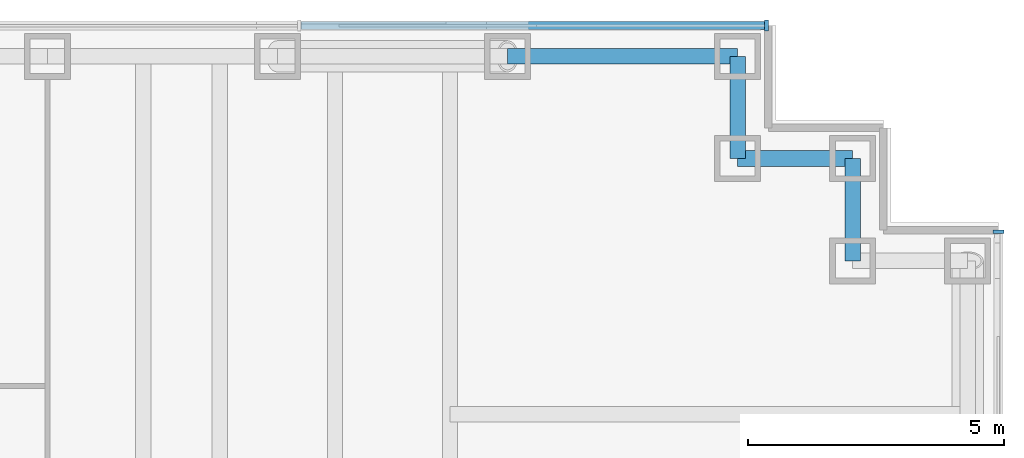
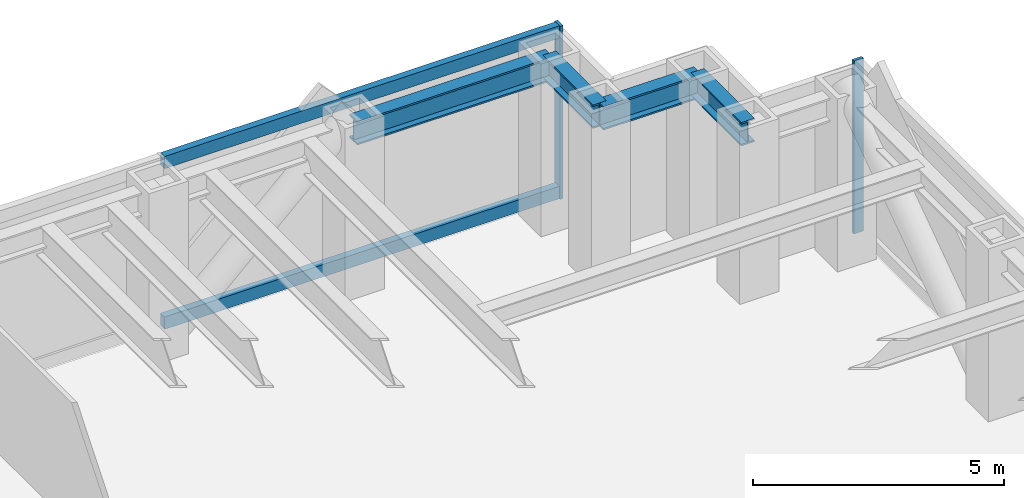
# One storey, part 9 of 15: 4 beams, 4 members, 2 elements without a shape of their own.
"""IFC4 building model written with IfcOpenShell, lengths in metres."""

import ifcopenshell
import ifcopenshell.guid

model = None  # the IFC model being written
_history = None  # IfcOwnerHistory: only IFC2X3 demands one
_inside = {}  # id of a spatial element -> (the spatial element, [elements in it])
_under = {}  # id of a project, library or spatial element -> (it, [spatial elements below it])
_declared = {}  # id of a project -> (the project, [libraries it declares])
_typed = {}  # id of a type object -> (the type object, [elements of that type])
_made_of = {}  # id of a material, layer set ... -> (it, [elements and type objects made of it])


def new_model(schema):
    """Start an empty IFC model of exactly this schema.

    Asked for "IFC4X3", IfcOpenShell would pick the latest addendum, in which some entities
    have other attributes; the version numbers below select the first issue.
    IFC2X3 requires an IfcOwnerHistory on every rooted entity: one is made here for all.
    """
    global model, _history
    if schema == "IFC4X3":
        model = ifcopenshell.file(schema_version=(4, 3, 0, 0))
    else:
        model = ifcopenshell.file(schema=schema)
    _inside.clear()
    _under.clear()
    _declared.clear()
    _typed.clear()
    _made_of.clear()
    _history = None
    if model.schema == "IFC2X3":
        org = make("IfcOrganization", Name="unknown")
        user = make(
            "IfcPersonAndOrganization",
            ThePerson=make("IfcPerson", FamilyName="unknown"),
            TheOrganization=org,
        )
        app = make(
            "IfcApplication",
            ApplicationDeveloper=org,
            Version="unknown",
            ApplicationFullName="unknown",
            ApplicationIdentifier="unknown",
        )
        _history = make(
            "IfcOwnerHistory",
            OwningUser=user,
            OwningApplication=app,
            ChangeAction="ADDED",
            CreationDate=0,
        )
    return model


def make(cls, **values):
    """One entity of the class cls with the attributes given. An attribute that is None is left unset."""
    return model.create_entity(
        cls, **{name: value for name, value in values.items() if value is not None}
    )


def rooted(cls, **values):
    """An entity with a GlobalId (a new one), such as an element, a storey or a relation."""
    return make(cls, GlobalId=ifcopenshell.guid.new(), OwnerHistory=_history, **values)


def si_unit(unit_type, name, prefix=None):
    """IfcSIUnit, for example si_unit("LENGTHUNIT", "METRE", prefix="MILLI")."""
    return make("IfcSIUnit", UnitType=unit_type, Prefix=prefix, Name=name)


def assignment(units):
    """IfcUnitAssignment: the units of a project."""
    return None if units is None else make("IfcUnitAssignment", Units=units)


def point(xyz):
    """IfcCartesianPoint."""
    return None if xyz is None else make("IfcCartesianPoint", Coordinates=xyz)


def direction(xyz):
    """IfcDirection."""
    return None if xyz is None else make("IfcDirection", DirectionRatios=xyz)


def frame(location, z_axis=None, x_axis=None):
    """IfcAxis2Placement3D, a coordinate frame: its origin and axes. An axis left out is left unset."""
    return make(
        "IfcAxis2Placement3D",
        Location=point(location),
        Axis=direction(z_axis),
        RefDirection=direction(x_axis),
    )


def frame_2d(location, x_axis=None):
    """IfcAxis2Placement2D, a coordinate frame in the plane: its origin and x axis."""
    return make(
        "IfcAxis2Placement2D", Location=point(location), RefDirection=direction(x_axis)
    )


def origin():
    """The frame at (0, 0, 0) with its axes left unset."""
    return frame((0.0, 0.0, 0.0))


def origin_2d():
    """The frame at (0, 0) in the plane with its x axis left unset."""
    return frame_2d((0.0, 0.0))


def place(relative_to, where):
    """IfcLocalPlacement: puts the frame where relative to a parent placement (None: the world)."""
    return make(
        "IfcLocalPlacement", PlacementRelTo=relative_to, RelativePlacement=where
    )


def context(
    kind, dimensions, precision=None, world=None, true_north=None, identifier=None
):
    """IfcGeometricRepresentationContext, for example the 3D "Model" context."""
    return make(
        "IfcGeometricRepresentationContext",
        ContextIdentifier=identifier,
        ContextType=kind,
        CoordinateSpaceDimension=dimensions,
        Precision=precision,
        WorldCoordinateSystem=world,
        TrueNorth=true_north,
    )


def subcontext(parent, identifier, kind, view, scale=None):
    """IfcGeometricRepresentationSubContext, for example "Body" below "Model"."""
    return make(
        "IfcGeometricRepresentationSubContext",
        ContextIdentifier=identifier,
        ContextType=kind,
        ParentContext=parent,
        TargetScale=scale,
        TargetView=view,
    )


def project(units=None, contexts=None):
    """IfcProject with its units and contexts."""
    return rooted(
        "IfcProject",
        Name="project",
        RepresentationContexts=contexts,
        UnitsInContext=assignment(units),
    )


def spatial(cls, under=None, at=None, **own):
    """A site, building, storey or space (cls), placed at a placement, below another one or the project."""
    s = rooted(cls, ObjectPlacement=at, **own)
    if under is not None:
        _under.setdefault(under.id(), (under, []))[1].append(s)
    return s


def profile(cls, at=None, kind="AREA", **sizes):
    """A parametric profile (cls). Its sizes go by their IFC names, for example OverallWidth=200.0."""
    return make(cls, ProfileType=kind, Position=at, **sizes)


def rectangle(**sizes):
    """IfcRectangleProfileDef."""
    return profile("IfcRectangleProfileDef", **sizes)


def i_section(**sizes):
    """IfcIShapeProfileDef."""
    return profile("IfcIShapeProfileDef", **sizes)


def extrude(swept, where, along, depth):
    """IfcExtrudedAreaSolid: the profile swept, set in the frame where, extruded along a direction by depth."""
    return make(
        "IfcExtrudedAreaSolid",
        SweptArea=swept,
        Position=where,
        ExtrudedDirection=direction(along),
        Depth=depth,
    )


def shape(context_of_items, identifier, shape_type, items):
    """IfcShapeRepresentation: the items that make up one representation, for example the "Body"."""
    return make(
        "IfcShapeRepresentation",
        ContextOfItems=context_of_items,
        RepresentationIdentifier=identifier,
        RepresentationType=shape_type,
        Items=items,
    )


def material(Name=None, Category=None):
    """IfcMaterial."""
    return make("IfcMaterial", Name=Name, Category=Category)


def material_profile(
    of_material, cross_section, Name=None, Category=None, Priority=None
):
    """IfcMaterialProfile: a cross section and its material."""
    return make(
        "IfcMaterialProfile",
        Name=Name,
        Material=of_material,
        Profile=cross_section,
        Priority=Priority,
        Category=Category,
    )


def profile_set(profiles, Name=None, composite=None):
    """IfcMaterialProfileSet."""
    return make(
        "IfcMaterialProfileSet",
        Name=Name,
        MaterialProfiles=profiles,
        CompositeProfile=composite,
    )


def made_of(thing, what):
    """Note that an element or type object is made of a material, layer set ...; save() writes the relation."""
    if what is not None:
        _made_of.setdefault(what.id(), (what, []))[1].append(thing)
    return thing


def type_object(cls, material=None, **own):
    """A type object (cls), such as IfcWallType, which elements share."""
    return made_of(rooted(cls, **own), material)


def element(
    cls,
    number,
    at=None,
    inside=None,
    cuts=None,
    type_object=None,
    material=None,
    context=None,
    identifier="Body",
    shape_type=None,
    held_by="IfcProductDefinitionShape",
    body=None,
    shapes=None,
    **own,
):
    """One element of the class cls, such as IfcWall. Its Tag is "e" and its number.

    at: its placement. inside: the storey or other place that contains it. cuts: it is an
    opening in that element (IfcRelVoidsElement). A single representation is given by context,
    identifier, shape_type and body (its items); several are given by shapes. held_by: the class
    of the entity that holds the representations. save() writes the other relations.
    """
    e = rooted(cls, Tag="e%d" % number, ObjectPlacement=at, **own)
    if body is not None:
        shapes = [shape(context, identifier, shape_type, body)]
    if shapes is not None:
        e.Representation = make(held_by, Representations=shapes)
    if inside is not None:
        _inside.setdefault(inside.id(), (inside, []))[1].append(e)
    if cuts is not None:
        rooted(
            "IfcRelVoidsElement", RelatingBuildingElement=cuts, RelatedOpeningElement=e
        )
    if type_object is not None:
        _typed.setdefault(type_object.id(), (type_object, []))[1].append(e)
    return made_of(e, material)


def aggregate(whole, parts):
    """IfcRelAggregates: a whole, such as a stair, and the parts it consists of."""
    return rooted("IfcRelAggregates", RelatingObject=whole, RelatedObjects=parts)


def save(model, path):
    """Write the relations noted so far, then the file.

    IfcRelAggregates (storeys below a building ...), IfcRelContainedInSpatialStructure (elements
    in a storey), IfcRelDefinesByType, IfcRelAssociatesMaterial and IfcRelDeclares: one each for
    every whole, place, type object, material and project.
    """
    for whole, parts in _under.values():
        aggregate(whole, parts)
    for where, things in _inside.values():
        rooted(
            "IfcRelContainedInSpatialStructure",
            RelatedElements=things,
            RelatingStructure=where,
        )
    for kind, things in _typed.values():
        rooted("IfcRelDefinesByType", RelatedObjects=things, RelatingType=kind)
    for what, things in _made_of.values():
        rooted("IfcRelAssociatesMaterial", RelatedObjects=things, RelatingMaterial=what)
    for by, libraries in _declared.values():
        rooted("IfcRelDeclares", RelatingContext=by, RelatedDefinitions=libraries)
    model.write(path)


model = new_model("IFC4")

# Units and contexts
model_context = context("Model", 3, precision=1e-05, world=origin(), true_north=direction((0.0, 1.0)))
body_context = subcontext(model_context, "Body", "Model", "MODEL_VIEW")
ifc_project = project(units=[si_unit("LENGTHUNIT", "METRE"), si_unit("AREAUNIT", "SQUARE_METRE"), si_unit("VOLUMEUNIT", "CUBIC_METRE"), si_unit("PLANEANGLEUNIT", "RADIAN"), si_unit("MASSUNIT", "GRAM", prefix="KILO")], contexts=[model_context])

# Site, building, storey
site_placement = place(None, origin())
site = spatial("IfcSite", under=ifc_project, at=site_placement, CompositionType="ELEMENT")
building_placement = place(site_placement, origin())
building = spatial("IfcBuilding", under=site, at=building_placement, Name="Rheinbord Bourse Tower", CompositionType="ELEMENT")
storey_placement = place(building_placement, frame((0.0, 0.0, 117.300048828125)))
storey = spatial("IfcBuildingStorey", under=building, at=storey_placement, Name="L25", CompositionType="ELEMENT", Elevation=117.300048828125)

# Curtain wall, member
ifc_material_1 = material(Name="Dark glass and black aluminium", Category="aluminium")
curtain_wall_type = type_object("IfcCurtainWallType", Name="CW2 DARK GLASS CURTAIN WALL", PredefinedType="USERDEFINED", material=ifc_material_1)
curtain_wall_1_placement = place(storey_placement, origin())
curtain_wall_1 = element("IfcCurtainWall", 1, at=curtain_wall_1_placement, inside=storey, type_object=curtain_wall_type, Name="Curtain wall CW2 E L25", ObjectType="UNITISED CURTAIN WALL", PredefinedType="USERDEFINED")
ifc_material_2 = material(Name="Black anodised aluminium", Category="aluminium")
ifc_material_profile_1 = material_profile(ifc_material_2, rectangle(XDim=0.219970703125, YDim=0.070068359375, at=origin_2d()), Name="CW2 MULLION 70x220")
ifc_profile_set_1 = profile_set([ifc_material_profile_1], Name="Black anodised aluminium")
member_type_1 = type_object("IfcMemberType", Name="CW2 BLACK MULLION", PredefinedType="MULLION", material=ifc_profile_set_1)
member_1_placement = place(storey_placement, frame((72.60009765625, 42.56494140625, 0.0), z_axis=(0.0, 0.0, 1.0), x_axis=(-1.0, 0.0, 0.0)))
member_1 = element("IfcMember", 2, at=member_1_placement, type_object=member_type_1, Name="CW2 mullion 6", PredefinedType="MULLION", context=body_context, shape_type="SweptSolid", body=[
    extrude(rectangle(XDim=0.219970703125, YDim=0.070068359375, at=origin_2d()), origin(), (0.0, 0.0, 1.0), 4.199951171875),
])
aggregate(curtain_wall_1, [member_1])

# Curtain wall, members
curtain_wall_2_placement = place(storey_placement, origin())
curtain_wall_2 = element("IfcCurtainWall", 3, at=curtain_wall_2_placement, inside=storey, type_object=curtain_wall_type, Name="Curtain wall CW2 N L25", ObjectType="UNITISED CURTAIN WALL", PredefinedType="USERDEFINED")
member_2_placement = place(storey_placement, frame((68.06494140625, 46.60009765625, 0.0), z_axis=(0.0, 0.0, 1.0), x_axis=(0.0, -1.0, 0.0)))
member_2 = element("IfcMember", 4, at=member_2_placement, type_object=member_type_1, Name="CW2 mullion 1", PredefinedType="MULLION", context=body_context, shape_type="SweptSolid", body=[
    extrude(rectangle(XDim=0.219970703125, YDim=0.070068359375, at=origin_2d()), origin(), (0.0, 0.0, 1.0), 4.199951171875),
])
ifc_material_3 = material(Name="Black anodised aluminium", Category="aluminium")
ifc_material_profile_2 = material_profile(ifc_material_3, rectangle(XDim=0.159912109375, YDim=0.300048828125, at=origin_2d()), Name="CW2 TRANSOM 300x160")
ifc_profile_set_2 = profile_set([ifc_material_profile_2], Name="Black anodised aluminium")
member_type_2 = type_object("IfcMemberType", Name="CW2 BLACK TRANSOM", PredefinedType="USERDEFINED", material=ifc_profile_set_2)
member_3_placement = place(storey_placement, frame((68.030029296875, 46.60009765625, 0.14990234375), z_axis=(-1.0, 0.0, 0.0), x_axis=(0.0, -1.0, 0.0)))
member_3 = element("IfcMember", 5, at=member_3_placement, type_object=member_type_2, Name="CW2 transom 1.1", ObjectType="TRANSOM", PredefinedType="USERDEFINED", context=body_context, shape_type="SweptSolid", body=[
    extrude(rectangle(XDim=0.159912109375, YDim=0.300048828125, at=origin_2d()), origin(), (0.0, 0.0, 1.0), 9.06640625),
])
member_4_placement = place(storey_placement, frame((68.030029296875, 46.60009765625, 4.050048828125), z_axis=(-1.0, 0.0, 0.0), x_axis=(0.0, -1.0, 0.0)))
member_4 = element("IfcMember", 6, at=member_4_placement, type_object=member_type_2, Name="CW2 transom 1.2", ObjectType="TRANSOM", PredefinedType="USERDEFINED", context=body_context, shape_type="SweptSolid", body=[
    extrude(rectangle(XDim=0.159912109375, YDim=0.300048828125, at=origin_2d()), origin(), (0.0, 0.0, 1.0), 9.06640625),
])
aggregate(curtain_wall_2, [member_2, member_3, member_4])

# Beams
ifc_material_4 = material(Name="Steel S460", Category="steel")
ifc_material_profile_3 = material_profile(ifc_material_4, i_section(OverallWidth=0.305908203125, OverallDepth=0.572021484375, WebThickness=0.02099609375, FlangeThickness=0.0400390625, at=origin_2d()), Name="HEM 550")
ifc_profile_set_3 = profile_set([ifc_material_profile_3], Name="Steel S460")
beam_type = type_object("IfcBeamType", Name="SPANDREL HEM 550", PredefinedType="SPANDREL", material=ifc_profile_set_3)
beam_1_placement = place(storey_placement, frame((69.75, 42.0, 3.75390625), z_axis=(0.0, 1.0, 0.0), x_axis=(-1.0, 0.0, 0.0)))
element("IfcBeam", 7, at=beam_1_placement, inside=storey, type_object=beam_type, Name="Spandrel NE-B-NE-C under L26", PredefinedType="SPANDREL", context=body_context, shape_type="SweptSolid", body=[
    extrude(i_section(OverallWidth=0.305908203125, OverallDepth=0.572021484375, WebThickness=0.02099609375, FlangeThickness=0.0400390625, at=origin_2d()), origin(), (0.0, 0.0, 1.0), 2.0),
])
beam_2_placement = place(storey_placement, frame((69.75, 44.0, 3.75390625), z_axis=(-1.0, 0.0, 0.0), x_axis=(0.0, -1.0, 0.0)))
element("IfcBeam", 8, at=beam_2_placement, inside=storey, type_object=beam_type, Name="Spandrel NE-C-NE-D under L26", PredefinedType="SPANDREL", context=body_context, shape_type="SweptSolid", body=[
    extrude(i_section(OverallWidth=0.305908203125, OverallDepth=0.572021484375, WebThickness=0.02099609375, FlangeThickness=0.0400390625, at=origin_2d()), origin(), (0.0, 0.0, 1.0), 2.25),
])
beam_3_placement = place(storey_placement, frame((67.5, 44.0, 3.75390625), z_axis=(0.0, 1.0, 0.0), x_axis=(-1.0, 0.0, 0.0)))
element("IfcBeam", 9, at=beam_3_placement, inside=storey, type_object=beam_type, Name="Spandrel NE-D-NE-E under L26", PredefinedType="SPANDREL", context=body_context, shape_type="SweptSolid", body=[
    extrude(i_section(OverallWidth=0.305908203125, OverallDepth=0.572021484375, WebThickness=0.02099609375, FlangeThickness=0.0400390625, at=origin_2d()), origin(), (0.0, 0.0, 1.0), 2.0),
])
beam_4_placement = place(storey_placement, frame((67.5, 46.0, 3.75390625), z_axis=(-1.0, 0.0, 0.0), x_axis=(0.0, -1.0, 0.0)))
element("IfcBeam", 10, at=beam_4_placement, inside=storey, type_object=beam_type, Name="Spandrel NE-E-N-63 under L26", PredefinedType="SPANDREL", context=body_context, shape_type="SweptSolid", body=[
    extrude(i_section(OverallWidth=0.305908203125, OverallDepth=0.572021484375, WebThickness=0.02099609375, FlangeThickness=0.0400390625, at=origin_2d()), origin(), (0.0, 0.0, 1.0), 4.5),
])

save(model, "model.ifc")
